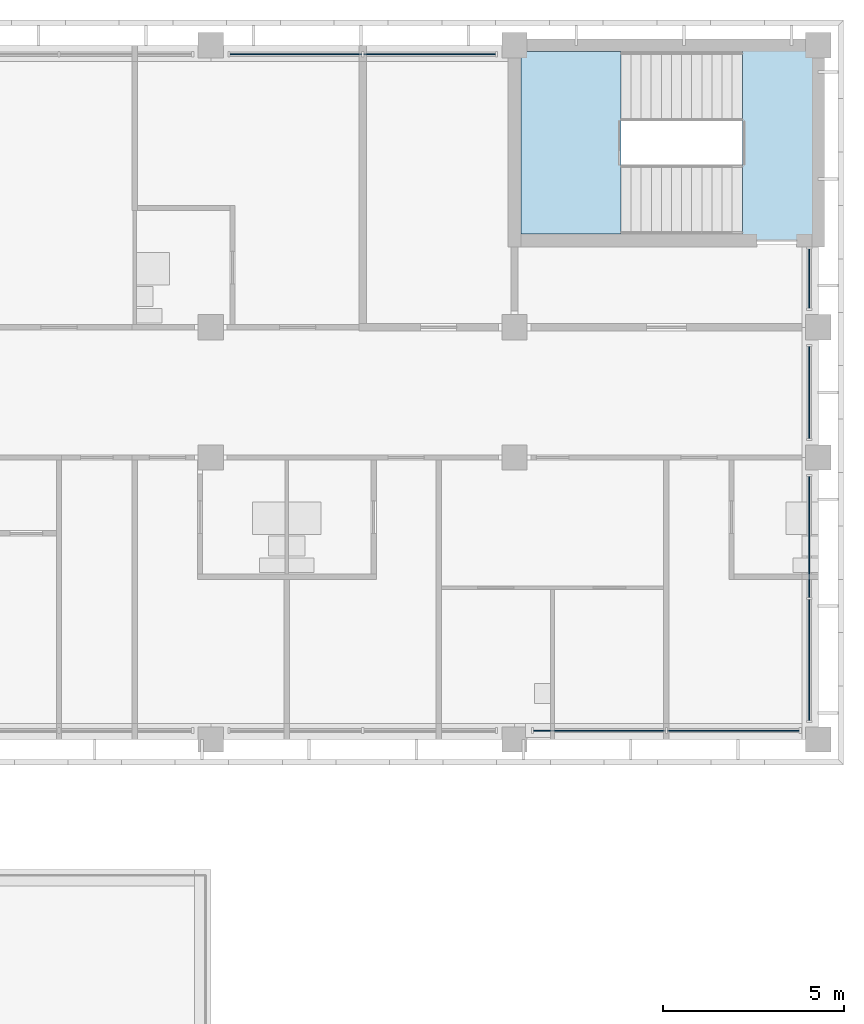
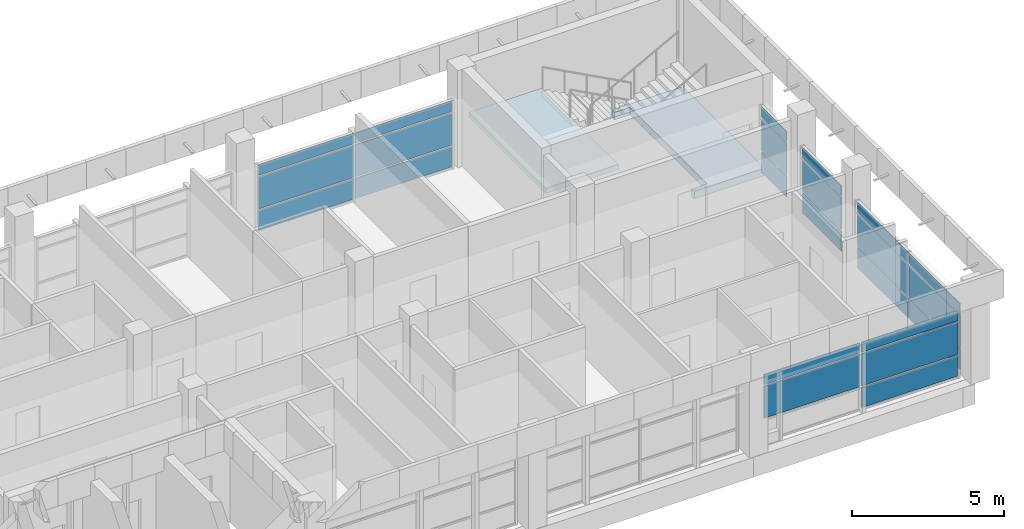
# One storey, part 17 of 46: 23 plates, 2 slabs, 6 elements without a shape of their own.
"""IFC4 building model written with IfcOpenShell, lengths in metres."""

from ifc_helpers import new_model, si_unit, direction, frame, origin, origin_2d, place, context, subcontext, project, spatial, polyline, rectangle, outline, extrude, material, layer, layer_set, type_object, element, aggregate, save


model = new_model("IFC4")

# Units and contexts
model_context = context("Model", 3, precision=1e-05, world=origin(), true_north=direction((0.0, 1.0)))
body_context = subcontext(model_context, "Body", "Model", "MODEL_VIEW")
ifc_project = project(units=[si_unit("LENGTHUNIT", "METRE"), si_unit("AREAUNIT", "SQUARE_METRE"), si_unit("VOLUMEUNIT", "CUBIC_METRE"), si_unit("PLANEANGLEUNIT", "RADIAN"), si_unit("MASSUNIT", "GRAM", prefix="KILO")], contexts=[model_context])

# Site, building, storey
site_placement = place(None, origin())
site = spatial("IfcSite", under=ifc_project, at=site_placement, CompositionType="ELEMENT")
building_placement = place(site_placement, origin())
building = spatial("IfcBuilding", under=site, at=building_placement, Name="Bougainvillea Quay General Hospital", CompositionType="ELEMENT")
storey_placement = place(building_placement, frame((0.0, 0.0, 28.800048828125)))
storey = spatial("IfcBuildingStorey", under=building, at=storey_placement, Name="L06", CompositionType="ELEMENT", Elevation=28.800048828125)

# Curtain wall, plates
ifc_material_1 = material(Name="Aluminium curtain wall system, powder-coated glazed", Category="aluminium")
curtain_wall_type_1 = type_object("IfcCurtainWallType", Name="Unitised curtain wall CW-3730", PredefinedType="NOTDEFINED", material=ifc_material_1)
curtain_wall_1_placement = place(storey_placement, origin())
curtain_wall_1 = element("IfcCurtainWall", 1, at=curtain_wall_1_placement, inside=storey, type_object=curtain_wall_type_1, Name="CW-4200 00", PredefinedType="NOTDEFINED")
ifc_material_2 = material(Name="Insulated aluminium spandrel panel, white", Category="aluminium")
ifc_layer_1 = layer(ifc_material_2, 0.028076171875)
ifc_layer_set_1 = layer_set([ifc_layer_1], Name="Insulated aluminium spandrel panel, white")
plate_type_1 = type_object("IfcPlateType", Name="Insulated spandrel panel white 28", PredefinedType="CURTAIN_PANEL", material=ifc_layer_set_1)
plate_1_placement = place(storey_placement, frame((174.050048828125, 159.35009765625, 0.059814453125), z_axis=(0.0, 0.0, 1.0), x_axis=(-1.0, 0.0, 0.0)))
plate_1 = element("IfcPlate", 2, at=plate_1_placement, type_object=plate_type_1, Name="CW-4200 spandrel panel 1.1", PredefinedType="CURTAIN_PANEL", context=body_context, shape_type="SweptSolid", body=[
    extrude(rectangle(XDim=3.639892578125, YDim=0.028076171875, at=origin_2d()), origin(), (0.0, 0.0, 1.0), 0.81005859375),
])
plate_2_placement = place(storey_placement, frame((174.050048828125, 159.35009765625, 2.27978515625), z_axis=(0.0, 0.0, 1.0), x_axis=(-1.0, 0.0, 0.0)))
plate_2 = element("IfcPlate", 3, at=plate_2_placement, type_object=plate_type_1, Name="CW-4200 spandrel panel 1.3", PredefinedType="CURTAIN_PANEL", context=body_context, shape_type="SweptSolid", body=[
    extrude(rectangle(XDim=3.639892578125, YDim=0.028076171875, at=origin_2d()), origin(), (0.0, 0.0, 1.0), 0.409912109375),
])
plate_3_placement = place(storey_placement, frame((170.35009765625, 159.35009765625, 0.059814453125), z_axis=(0.0, 0.0, 1.0), x_axis=(-1.0, 0.0, 0.0)))
plate_3 = element("IfcPlate", 4, at=plate_3_placement, type_object=plate_type_1, Name="CW-4200 spandrel panel 2.1", PredefinedType="CURTAIN_PANEL", context=body_context, shape_type="SweptSolid", body=[
    extrude(rectangle(XDim=3.639892578125, YDim=0.028076171875, at=origin_2d()), origin(), (0.0, 0.0, 1.0), 0.81005859375),
])
plate_4_placement = place(storey_placement, frame((170.35009765625, 159.35009765625, 2.27978515625), z_axis=(0.0, 0.0, 1.0), x_axis=(-1.0, 0.0, 0.0)))
plate_4 = element("IfcPlate", 5, at=plate_4_placement, type_object=plate_type_1, Name="CW-4200 spandrel panel 2.3", PredefinedType="CURTAIN_PANEL", context=body_context, shape_type="SweptSolid", body=[
    extrude(rectangle(XDim=3.639892578125, YDim=0.028076171875, at=origin_2d()), origin(), (0.0, 0.0, 1.0), 0.409912109375),
])

curtain_wall_2_placement = place(storey_placement, origin())
curtain_wall_2 = element("IfcCurtainWall", 6, at=curtain_wall_2_placement, inside=storey, type_object=curtain_wall_type_1, Name="CW-4200 02", PredefinedType="NOTDEFINED")
plate_5_placement = place(storey_placement, frame((178.75, 140.64990234375, 2.27978515625), z_axis=(0.0, 0.0, 1.0), x_axis=(1.0, 0.0, 0.0)))
plate_5 = element("IfcPlate", 7, at=plate_5_placement, type_object=plate_type_1, Name="CW-4200 spandrel panel 1.3", PredefinedType="CURTAIN_PANEL", context=body_context, shape_type="SweptSolid", body=[
    extrude(rectangle(XDim=3.639892578125, YDim=0.028076171875, at=origin_2d()), origin(), (0.0, 0.0, 1.0), 0.409912109375),
])
plate_6_placement = place(storey_placement, frame((182.449951171875, 140.64990234375, 0.059814453125), z_axis=(0.0, 0.0, 1.0), x_axis=(1.0, 0.0, 0.0)))
plate_6 = element("IfcPlate", 8, at=plate_6_placement, type_object=plate_type_1, Name="CW-4200 spandrel panel 2.1", PredefinedType="CURTAIN_PANEL", context=body_context, shape_type="SweptSolid", body=[
    extrude(rectangle(XDim=3.639892578125, YDim=0.028076171875, at=origin_2d()), origin(), (0.0, 0.0, 1.0), 0.81005859375),
])
plate_7_placement = place(storey_placement, frame((182.449951171875, 140.64990234375, 2.27978515625), z_axis=(0.0, 0.0, 1.0), x_axis=(1.0, 0.0, 0.0)))
plate_7 = element("IfcPlate", 9, at=plate_7_placement, type_object=plate_type_1, Name="CW-4200 spandrel panel 2.3", PredefinedType="CURTAIN_PANEL", context=body_context, shape_type="SweptSolid", body=[
    extrude(rectangle(XDim=3.639892578125, YDim=0.028076171875, at=origin_2d()), origin(), (0.0, 0.0, 1.0), 0.409912109375),
])

curtain_wall_type_2 = type_object("IfcCurtainWallType", Name="Unitised curtain wall CW-3430", PredefinedType="NOTDEFINED", material=ifc_material_1)
curtain_wall_3_placement = place(storey_placement, origin())
curtain_wall_3 = element("IfcCurtainWall", 10, at=curtain_wall_3_placement, inside=storey, type_object=curtain_wall_type_2, Name="CW-4200 00", PredefinedType="NOTDEFINED")
plate_8_placement = place(storey_placement, frame((184.550048828125, 142.60009765625, 0.059814453125), z_axis=(0.0, 0.0, 1.0), x_axis=(0.0, 1.0, 0.0)))
plate_8 = element("IfcPlate", 11, at=plate_8_placement, type_object=plate_type_1, Name="CW-4200 spandrel panel 1.1", PredefinedType="CURTAIN_PANEL", context=body_context, shape_type="SweptSolid", body=[
    extrude(rectangle(XDim=3.340087890625, YDim=0.028076171875, at=origin_2d()), origin(), (0.0, 0.0, 1.0), 0.81005859375),
])
plate_9_placement = place(storey_placement, frame((184.550048828125, 142.60009765625, 2.27978515625), z_axis=(0.0, 0.0, 1.0), x_axis=(0.0, 1.0, 0.0)))
plate_9 = element("IfcPlate", 12, at=plate_9_placement, type_object=plate_type_1, Name="CW-4200 spandrel panel 1.3", PredefinedType="CURTAIN_PANEL", context=body_context, shape_type="SweptSolid", body=[
    extrude(rectangle(XDim=3.340087890625, YDim=0.028076171875, at=origin_2d()), origin(), (0.0, 0.0, 1.0), 0.409912109375),
])
plate_10_placement = place(storey_placement, frame((184.550048828125, 146.0, 0.059814453125), z_axis=(0.0, 0.0, 1.0), x_axis=(0.0, 1.0, 0.0)))
plate_10 = element("IfcPlate", 13, at=plate_10_placement, type_object=plate_type_1, Name="CW-4200 spandrel panel 2.1", PredefinedType="CURTAIN_PANEL", context=body_context, shape_type="SweptSolid", body=[
    extrude(rectangle(XDim=3.340087890625, YDim=0.028076171875, at=origin_2d()), origin(), (0.0, 0.0, 1.0), 0.81005859375),
])
plate_11_placement = place(storey_placement, frame((184.550048828125, 146.0, 2.27978515625), z_axis=(0.0, 0.0, 1.0), x_axis=(0.0, 1.0, 0.0)))
plate_11 = element("IfcPlate", 14, at=plate_11_placement, type_object=plate_type_1, Name="CW-4200 spandrel panel 2.3", PredefinedType="CURTAIN_PANEL", context=body_context, shape_type="SweptSolid", body=[
    extrude(rectangle(XDim=3.340087890625, YDim=0.028076171875, at=origin_2d()), origin(), (0.0, 0.0, 1.0), 0.409912109375),
])

curtain_wall_type_3 = type_object("IfcCurtainWallType", Name="Unitised curtain wall CW-2660", PredefinedType="NOTDEFINED", material=ifc_material_1)
curtain_wall_4_placement = place(storey_placement, origin())
curtain_wall_4 = element("IfcCurtainWall", 15, at=curtain_wall_4_placement, inside=storey, type_object=curtain_wall_type_3, Name="CW-4200 01", PredefinedType="NOTDEFINED")
plate_12_placement = place(storey_placement, frame((184.550048828125, 150.0, 0.059814453125), z_axis=(0.0, 0.0, 1.0), x_axis=(0.0, 1.0, 0.0)))
plate_12 = element("IfcPlate", 16, at=plate_12_placement, type_object=plate_type_1, Name="CW-4200 spandrel panel 1.1", PredefinedType="CURTAIN_PANEL", context=body_context, shape_type="SweptSolid", body=[
    extrude(rectangle(XDim=2.5400390625, YDim=0.028076171875, at=origin_2d()), origin(), (0.0, 0.0, 1.0), 0.81005859375),
])
plate_13_placement = place(storey_placement, frame((184.550048828125, 150.0, 2.27978515625), z_axis=(0.0, 0.0, 1.0), x_axis=(0.0, 1.0, 0.0)))
plate_13 = element("IfcPlate", 17, at=plate_13_placement, type_object=plate_type_1, Name="CW-4200 spandrel panel 1.3", PredefinedType="CURTAIN_PANEL", context=body_context, shape_type="SweptSolid", body=[
    extrude(rectangle(XDim=2.5400390625, YDim=0.028076171875, at=origin_2d()), origin(), (0.0, 0.0, 1.0), 0.409912109375),
])

curtain_wall_type_4 = type_object("IfcCurtainWallType", Name="Unitised curtain wall CW-1755", PredefinedType="NOTDEFINED", material=ifc_material_1)
curtain_wall_5_placement = place(storey_placement, origin())
curtain_wall_5 = element("IfcCurtainWall", 18, at=curtain_wall_5_placement, inside=storey, type_object=curtain_wall_type_4, Name="CW-4200 02", PredefinedType="NOTDEFINED")
plate_14_placement = place(storey_placement, frame((184.550048828125, 153.1474609375, 0.059814453125), z_axis=(0.0, 0.0, 1.0), x_axis=(0.0, 1.0, 0.0)))
plate_14 = element("IfcPlate", 19, at=plate_14_placement, type_object=plate_type_1, Name="CW-4200 spandrel panel 1.1", PredefinedType="CURTAIN_PANEL", context=body_context, shape_type="SweptSolid", body=[
    extrude(rectangle(XDim=1.635009765625, YDim=0.028076171875, at=origin_2d()), origin(), (0.0, 0.0, 1.0), 0.81005859375),
])
plate_15_placement = place(storey_placement, frame((184.550048828125, 153.1474609375, 2.27978515625), z_axis=(0.0, 0.0, 1.0), x_axis=(0.0, 1.0, 0.0)))
plate_15 = element("IfcPlate", 20, at=plate_15_placement, type_object=plate_type_1, Name="CW-4200 spandrel panel 1.3", PredefinedType="CURTAIN_PANEL", context=body_context, shape_type="SweptSolid", body=[
    extrude(rectangle(XDim=1.635009765625, YDim=0.028076171875, at=origin_2d()), origin(), (0.0, 0.0, 1.0), 0.409912109375),
])

# Plate
ifc_material_3 = material(Name="Low-e laminated glass, solar control", Category="glass")
ifc_layer_2 = layer(ifc_material_3, 0.028076171875)
ifc_layer_set_2 = layer_set([ifc_layer_2], Name="Low-e laminated glass, solar control")
plate_type_2 = type_object("IfcPlateType", Name="Low-e laminated vision glass 28", PredefinedType="CURTAIN_PANEL", material=ifc_layer_set_2)
plate_16_placement = place(storey_placement, frame((174.050048828125, 159.35009765625, 0.929931640625), z_axis=(0.0, 0.0, 1.0), x_axis=(-1.0, 0.0, 0.0)))
plate_16 = element("IfcPlate", 21, at=plate_16_placement, type_object=plate_type_2, Name="CW-4200 vision glass panel 1.2", PredefinedType="CURTAIN_PANEL", context=body_context, shape_type="SweptSolid", body=[
    extrude(rectangle(XDim=3.639892578125, YDim=0.028076171875, at=origin_2d()), origin(), (0.0, 0.0, 1.0), 1.2900390625),
])

plate_17_placement = place(storey_placement, frame((170.35009765625, 159.35009765625, 0.929931640625), z_axis=(0.0, 0.0, 1.0), x_axis=(-1.0, 0.0, 0.0)))
plate_17 = element("IfcPlate", 22, at=plate_17_placement, type_object=plate_type_2, Name="CW-4200 vision glass panel 2.2", PredefinedType="CURTAIN_PANEL", context=body_context, shape_type="SweptSolid", body=[
    extrude(rectangle(XDim=3.639892578125, YDim=0.028076171875, at=origin_2d()), origin(), (0.0, 0.0, 1.0), 1.2900390625),
])

aggregate(curtain_wall_1, [plate_1, plate_16, plate_2, plate_3, plate_17, plate_4])

plate_18_placement = place(storey_placement, frame((178.75, 140.64990234375, 0.929931640625), z_axis=(0.0, 0.0, 1.0), x_axis=(1.0, 0.0, 0.0)))
plate_18 = element("IfcPlate", 23, at=plate_18_placement, type_object=plate_type_2, Name="CW-4200 vision glass panel 1.2", PredefinedType="CURTAIN_PANEL", context=body_context, shape_type="SweptSolid", body=[
    extrude(rectangle(XDim=3.639892578125, YDim=0.028076171875, at=origin_2d()), origin(), (0.0, 0.0, 1.0), 1.2900390625),
])

plate_19_placement = place(storey_placement, frame((182.449951171875, 140.64990234375, 0.929931640625), z_axis=(0.0, 0.0, 1.0), x_axis=(1.0, 0.0, 0.0)))
plate_19 = element("IfcPlate", 24, at=plate_19_placement, type_object=plate_type_2, Name="CW-4200 vision glass panel 2.2", PredefinedType="CURTAIN_PANEL", context=body_context, shape_type="SweptSolid", body=[
    extrude(rectangle(XDim=3.639892578125, YDim=0.028076171875, at=origin_2d()), origin(), (0.0, 0.0, 1.0), 1.2900390625),
])

aggregate(curtain_wall_2, [plate_18, plate_5, plate_6, plate_19, plate_7])

plate_20_placement = place(storey_placement, frame((184.550048828125, 142.60009765625, 0.929931640625), z_axis=(0.0, 0.0, 1.0), x_axis=(0.0, 1.0, 0.0)))
plate_20 = element("IfcPlate", 25, at=plate_20_placement, type_object=plate_type_2, Name="CW-4200 vision glass panel 1.2", PredefinedType="CURTAIN_PANEL", context=body_context, shape_type="SweptSolid", body=[
    extrude(rectangle(XDim=3.340087890625, YDim=0.028076171875, at=origin_2d()), origin(), (0.0, 0.0, 1.0), 1.2900390625),
])

plate_21_placement = place(storey_placement, frame((184.550048828125, 146.0, 0.929931640625), z_axis=(0.0, 0.0, 1.0), x_axis=(0.0, 1.0, 0.0)))
plate_21 = element("IfcPlate", 26, at=plate_21_placement, type_object=plate_type_2, Name="CW-4200 vision glass panel 2.2", PredefinedType="CURTAIN_PANEL", context=body_context, shape_type="SweptSolid", body=[
    extrude(rectangle(XDim=3.340087890625, YDim=0.028076171875, at=origin_2d()), origin(), (0.0, 0.0, 1.0), 1.2900390625),
])

aggregate(curtain_wall_3, [plate_8, plate_20, plate_9, plate_10, plate_21, plate_11])

plate_22_placement = place(storey_placement, frame((184.550048828125, 150.0, 0.929931640625), z_axis=(0.0, 0.0, 1.0), x_axis=(0.0, 1.0, 0.0)))
plate_22 = element("IfcPlate", 27, at=plate_22_placement, type_object=plate_type_2, Name="CW-4200 vision glass panel 1.2", PredefinedType="CURTAIN_PANEL", context=body_context, shape_type="SweptSolid", body=[
    extrude(rectangle(XDim=2.5400390625, YDim=0.028076171875, at=origin_2d()), origin(), (0.0, 0.0, 1.0), 1.2900390625),
])

aggregate(curtain_wall_4, [plate_12, plate_22, plate_13])

plate_23_placement = place(storey_placement, frame((184.550048828125, 153.1474609375, 0.929931640625), z_axis=(0.0, 0.0, 1.0), x_axis=(0.0, 1.0, 0.0)))
plate_23 = element("IfcPlate", 28, at=plate_23_placement, type_object=plate_type_2, Name="CW-4200 vision glass panel 1.2", PredefinedType="CURTAIN_PANEL", context=body_context, shape_type="SweptSolid", body=[
    extrude(rectangle(XDim=1.635009765625, YDim=0.028076171875, at=origin_2d()), origin(), (0.0, 0.0, 1.0), 1.2900390625),
])

aggregate(curtain_wall_5, [plate_14, plate_23, plate_15])

# Slab
ifc_material_4 = material(Name="Concrete C35", Category="concrete")
ifc_layer_3 = layer(ifc_material_4, 0.300048828125)
ifc_layer_set_3 = layer_set([ifc_layer_3], Name="Concrete C35")
slab_type_1 = type_object("IfcSlabType", Name="RC FLAT SLAB 300 C35", PredefinedType="FLOOR", material=ifc_layer_set_3)
slab_1_placement = place(storey_placement, frame((0.0, 0.0, -0.300048828125)))
element("IfcSlab", 29, at=slab_1_placement, inside=storey, type_object=slab_type_1, Name="Stair landing floor ST-A4 L06", PredefinedType="FLOOR", context=body_context, shape_type="SweptSolid", body=[
    extrude(outline(polyline([(182.102783203125, 159.48388671875), (182.111572265625, 159.5419921875), (182.1259765625, 159.599609375), (184.800048828125, 159.60009765625), (184.800048828125, 154.199951171875), (182.1259765625, 154.200439453125), (182.111572265625, 154.2578125), (182.102783203125, 154.316162109375), (182.10009765625, 154.3740234375), (182.70068359375, 154.374267578125), (182.70068359375, 159.425537109375), (182.10009765625, 159.426025390625), (182.102783203125, 159.48388671875)])), origin(), (0.0, 0.0, 1.0), 0.300048828125),
])

# Stair, slab
stair_type = type_object("IfcStairType", Name="Stair half-turn 1925 wide", PredefinedType="HALF_TURN_STAIR", material=ifc_material_4)
stair_placement = place(storey_placement, origin())
stair = element("IfcStair", 30, at=stair_placement, inside=storey, type_object=stair_type, Name="L06 stair ST-A4", PredefinedType="HALF_TURN_STAIR")
ifc_layer_4 = layer(ifc_material_4, 0.199951171875)
ifc_layer_set_4 = layer_set([ifc_layer_4], Name="Concrete C35")
slab_type_2 = type_object("IfcSlabType", Name="Stair landing 200", PredefinedType="LANDING", material=ifc_layer_set_4)
slab_2_placement = place(storey_placement, frame((0.0, 0.0, 1.75)))
slab_2 = element("IfcSlab", 31, at=slab_2_placement, type_object=slab_type_2, Name="ST-A4 landing 1", PredefinedType="LANDING", context=body_context, shape_type="SweptSolid", body=[
    extrude(outline(polyline([(179.340087890625, 159.425048828125), (176.574951171875, 159.425048828125), (176.574951171875, 154.375), (179.340087890625, 154.375), (179.340087890625, 159.425048828125)])), origin(), (0.0, 0.0, 1.0), 0.199951171875),
])
aggregate(stair, [slab_2])

save(model, "model.ifc")
